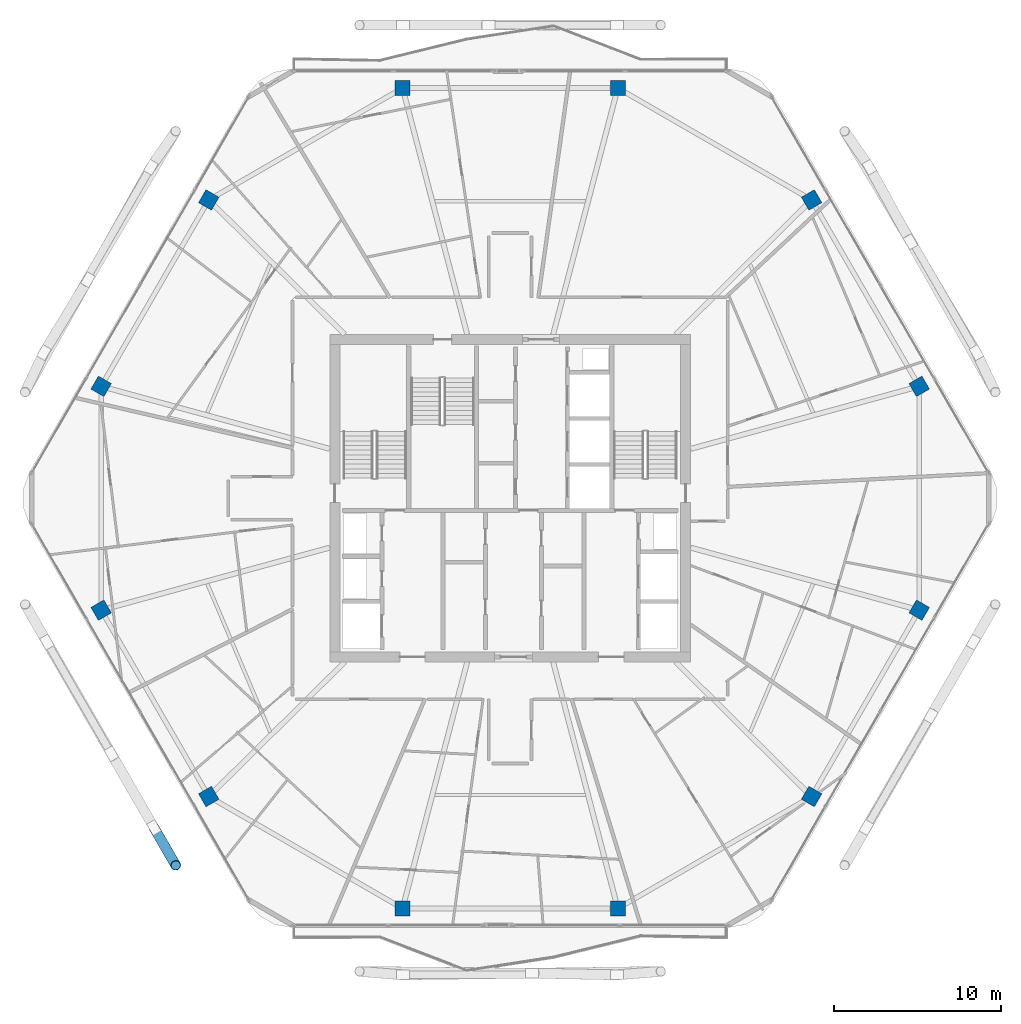
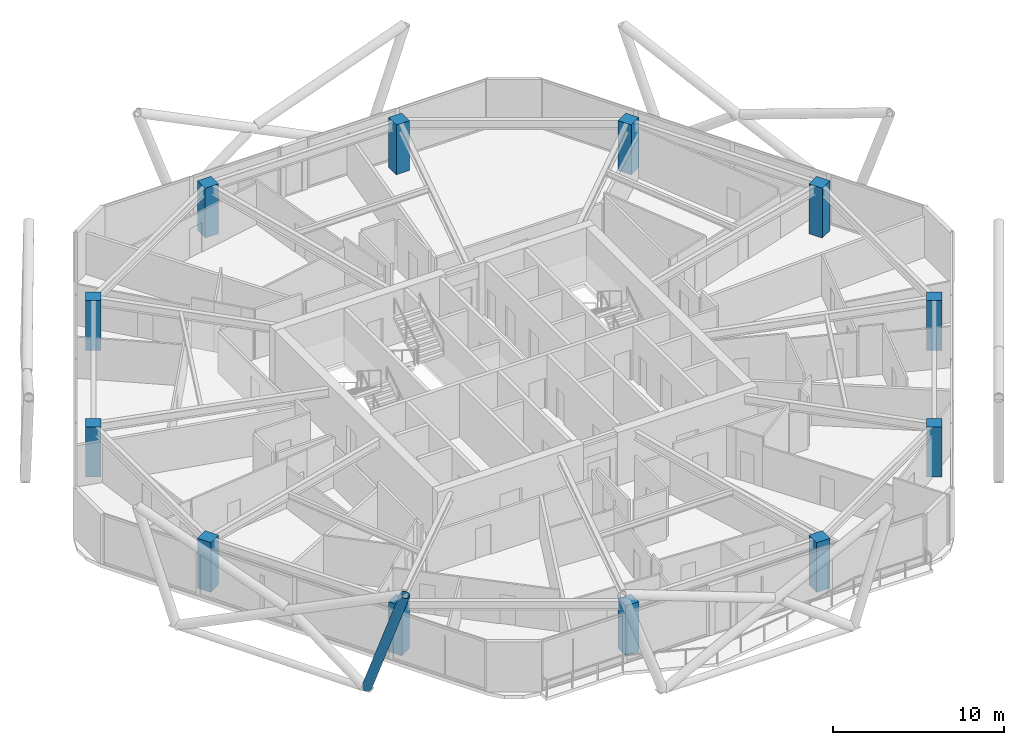
# One storey, part 1 of 28: 12 columns, 1 member.
"""IFC4 building model written with IfcOpenShell, lengths in metres."""

from ifc_helpers import new_model, si_unit, direction, frame, origin, origin_2d, place, context, subcontext, project, spatial, rectangle, hollow_circle, extrude, material, material_profile, profile_set, type_object, element, save


model = new_model("IFC4")

# Units and contexts
model_context = context("Model", 3, precision=1e-05, world=origin(), true_north=direction((0.0, 1.0)))
body_context = subcontext(model_context, "Body", "Model", "MODEL_VIEW")
ifc_project = project(units=[si_unit("LENGTHUNIT", "METRE"), si_unit("AREAUNIT", "SQUARE_METRE"), si_unit("VOLUMEUNIT", "CUBIC_METRE"), si_unit("PLANEANGLEUNIT", "RADIAN"), si_unit("MASSUNIT", "GRAM", prefix="KILO")], contexts=[model_context])

# Site, building, storey
site_placement = place(None, origin())
site = spatial("IfcSite", under=ifc_project, at=site_placement, CompositionType="ELEMENT")
building_placement = place(site_placement, origin())
building = spatial("IfcBuilding", under=site, at=building_placement, Name="Zuhravey Tower", CompositionType="ELEMENT")
storey_placement = place(building_placement, frame((0.0, 0.0, 254.0)))
storey = spatial("IfcBuildingStorey", under=building, at=storey_placement, Name="L64", CompositionType="ELEMENT", Elevation=254.0)

# Columns
ifc_material_1 = material(Name="Concrete C50/60", Category="concrete")
ifc_material_profile_1 = material_profile(ifc_material_1, rectangle(XDim=0.89990234375, YDim=0.89990234375, at=origin_2d()), Name="RC-900x900")
ifc_profile_set_1 = profile_set([ifc_material_profile_1], Name="Concrete C50/60")
column_type = type_object("IfcColumnType", Name="Zone 3 Perimeter Column 900x900", PredefinedType="COLUMN", material=ifc_profile_set_1)
for number, where, z_axis, x_axis, name in (
    (1, (60.484619140625, 38.698974609375, 0.0), (0.0, 0.0, 1.0), (-0.5, 0.866025403784, 0.0), "L64 Perimeter Column PC01"),
    (2, (54.043701171875, 49.854736328125, 0.0), (0.0, 0.0, 1.0), (-0.5, 0.866025403784, 0.0), "L64 Perimeter Column PC02"),
    (3, (42.44091796875, 56.5537109375, 0.0), (0.0, 0.0, 1.0), (-1.0, 0.0, 0.0), "L64 Perimeter Column PC03"),
    (4, (29.55908203125, 56.5537109375, 0.0), (0.0, 0.0, 1.0), (-1.0, 0.0, 0.0), "L64 Perimeter Column PC04"),
    (5, (17.956298828125, 49.854736328125, 0.0), (0.0, 0.0, 1.0), (-0.5, -0.866025403784, 0.0), "L64 Perimeter Column PC05"),
    (6, (11.515380859375, 38.698974609375, 0.0), (0.0, 0.0, 1.0), (-0.5, -0.866025403784, 0.0), "L64 Perimeter Column PC06"),
    (7, (11.515380859375, 25.301025390625, 0.0), (0.0, 0.0, 1.0), (0.5, -0.866025403784, 0.0), "L64 Perimeter Column PC07"),
    (8, (17.956298828125, 14.145263671875, 0.0), (0.0, 0.0, 1.0), (0.5, -0.866025403784, 0.0), "L64 Perimeter Column PC08"),
    (9, (29.55908203125, 7.4462890625, 0.0), (0.0, 0.0, 1.0), (1.0, 0.0, 0.0), "L64 Perimeter Column PC09"),
    (10, (42.44091796875, 7.4462890625, 0.0), (0.0, 0.0, 1.0), (1.0, 0.0, 0.0), "L64 Perimeter Column PC10"),
    (11, (54.043701171875, 14.145263671875, 0.0), (0.0, 0.0, 1.0), (0.5, 0.866025403784, 0.0), "L64 Perimeter Column PC11"),
    (12, (60.484619140625, 25.301025390625, 0.0), (0.0, 0.0, 1.0), (0.5, 0.866025403784, 0.0), "L64 Perimeter Column PC12"),
):
    element("IfcColumn", number, at=place(storey_placement, frame(where, z_axis=z_axis, x_axis=x_axis)), inside=storey, type_object=column_type, Name=name, PredefinedType="COLUMN", context=body_context, shape_type="SweptSolid", body=[
        extrude(rectangle(XDim=0.89990234375, YDim=0.89990234375, at=origin_2d()), origin(), (0.0, 0.0, 1.0), 3.550048828125),
    ])

# Member
ifc_material_2 = material(Name="Steel SM355", Category="steel")
ifc_material_profile_2 = material_profile(ifc_material_2, hollow_circle(Radius=0.3046875, WallThickness=0.028076171875, at=origin_2d()), Name="CHS-609.6x28")
ifc_profile_set_2 = profile_set([ifc_material_profile_2], Name="Steel SM355")
member_type = type_object("IfcMemberType", Name="Exoskeleton Zone 3 Diagrid CHS610x28", PredefinedType="BRACE", material=ifc_profile_set_2)
member_placement = place(storey_placement, frame((14.677978515625, 12.28369140625, -0.446044921875), z_axis=(0.163029217662, -0.282394798701, 0.945343668649), x_axis=(0.866040668696, 0.499973559465, 0.0)))
element("IfcMember", 13, at=member_placement, inside=storey, type_object=member_type, Name="L64 Face 4 Diagrid Brace 4", PredefinedType="BRACE", context=body_context, shape_type="SweptSolid", body=[
    extrude(hollow_circle(Radius=0.3046875, WallThickness=0.028076171875, at=origin_2d()), origin(), (0.0, 0.0, 1.0), 8.001220703125),
])

save(model, "model.ifc")
